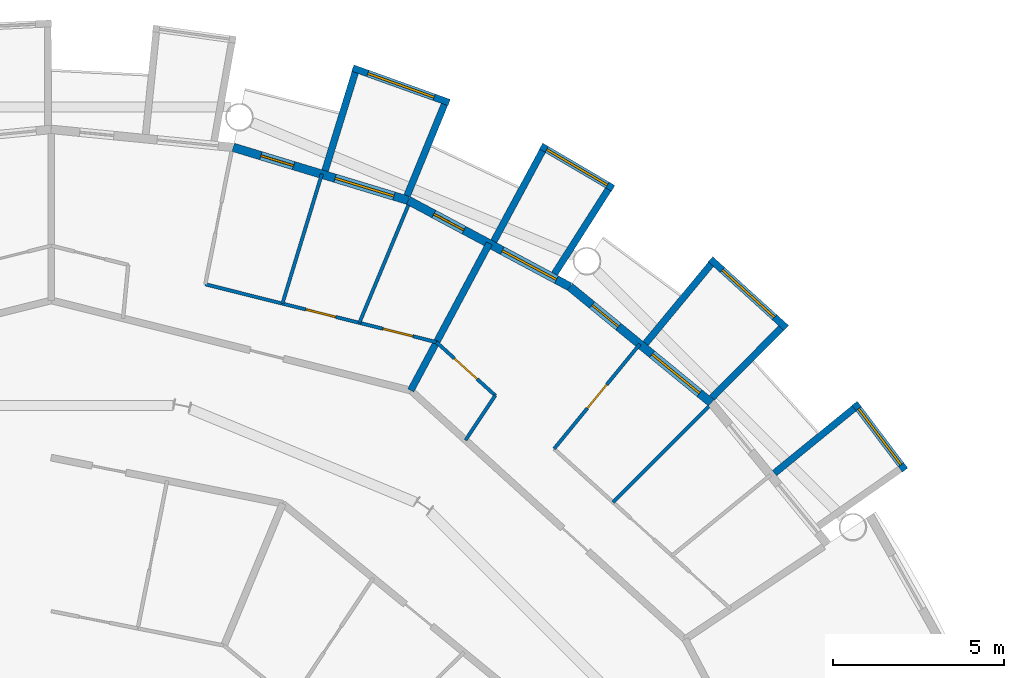
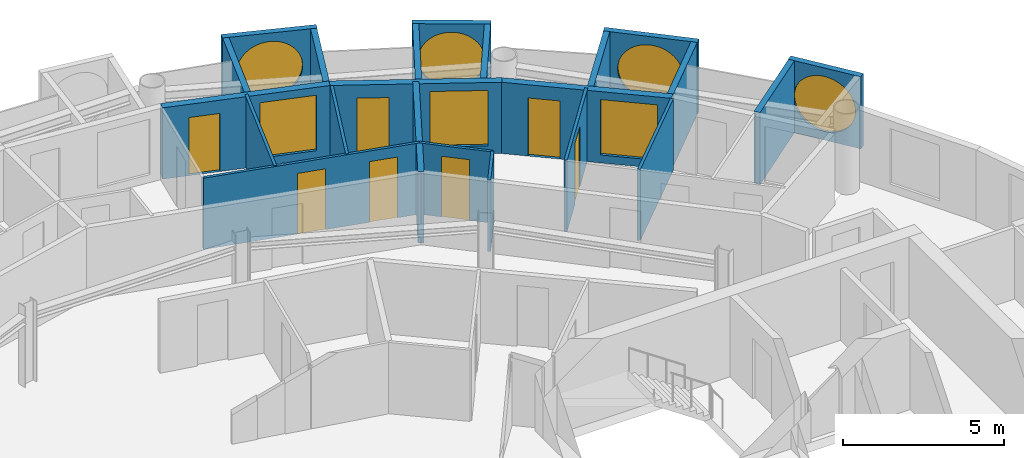
# One storey, part 23 of 27: 22 walls, 7 doors, 7 windows, 14 openings.
"""IFC4 building model written with IfcOpenShell, lengths in metres."""

from ifc_helpers import new_model, si_unit, direction, frame, frame_2d, origin, place, context, subcontext, project, spatial, rectangle, circle, extrude, material, layer, layer_set, type_object, element, fill, save


model = new_model("IFC4")

# Units and contexts
model_context = context("Model", 3, precision=1e-05, world=origin(), true_north=direction((0.0, 1.0)))
body_context = subcontext(model_context, "Body", "Model", "MODEL_VIEW")
ifc_project = project(units=[si_unit("LENGTHUNIT", "METRE"), si_unit("AREAUNIT", "SQUARE_METRE"), si_unit("VOLUMEUNIT", "CUBIC_METRE"), si_unit("PLANEANGLEUNIT", "RADIAN"), si_unit("MASSUNIT", "GRAM", prefix="KILO")], contexts=[model_context])

# Site, building, storey
site_placement = place(None, origin())
site = spatial("IfcSite", under=ifc_project, at=site_placement, CompositionType="ELEMENT")
building_placement = place(site_placement, origin())
building = spatial("IfcBuilding", under=site, at=building_placement, Name="Maasbend Ring Residences", CompositionType="ELEMENT")
storey_placement = place(building_placement, frame((0.0, 0.0, 164.64990234375)))
storey = spatial("IfcBuildingStorey", under=building, at=storey_placement, Name="L47", CompositionType="ELEMENT", Elevation=164.64990234375)

# Wall, opening, window
ifc_material_1 = material(Name="Pale anodised aluminium panel", Category="aluminium")
ifc_layer_1 = layer(ifc_material_1, 0.199951171875)
ifc_layer_set_1 = layer_set([ifc_layer_1], Name="EW-BOX")
wall_type_1 = type_object("IfcWallType", Name="EW-BOX", PredefinedType="SOLIDWALL", material=ifc_layer_set_1)
wall_1_placement = place(storey_placement, frame((24.971923828125, 17.3369140625, -0.02978515625), z_axis=(0.0, 0.0, 1.0), x_axis=(-0.602806268067, 0.797887588059, 0.0)))
wall_1 = element("IfcWall", 1, at=wall_1_placement, inside=storey, type_object=wall_type_1, Name="Box front N01", PredefinedType="SOLIDWALL", context=body_context, shape_type="SweptSolid", body=[
    extrude(rectangle(XDim=2.446533203125, YDim=0.199951171875, at=frame_2d((1.22314453125, 0.0))), origin(), (0.0, 0.0, 1.0), 2.72998046875),
])
opening_1_placement = place(wall_1_placement, frame((0.182861328125, 0.0, 0.330078125)))
opening_1 = element("IfcOpeningElement", 2, at=opening_1_placement, cuts=wall_1, Name="Opening W-RD", PredefinedType="OPENING", context=body_context, shape_type="SweptSolid", body=[
    extrude(circle(Radius=1.0400390625, at=frame_2d((1.0400390625, 1.0400390625))), frame((0.0, 0.10986328125, 0.0), z_axis=(0.0, -1.0, 0.0), x_axis=(1.0, 0.0, 0.0)), (0.0, 0.0, 1.0), 0.219970703125),
])
ifc_material_2 = material(Name="Aluminium and clear glass", Category="aluminium")
window_type_1 = type_object("IfcWindowType", Name="W-RD", PartitioningType="SINGLE_PANEL", PredefinedType="WINDOW", material=ifc_material_2)
window_1_placement = place(opening_1_placement, origin())
window_1 = element("IfcWindow", 3, at=window_1_placement, inside=storey, type_object=window_type_1, Name="Round window N01", OverallHeight=2.080078125, OverallWidth=2.080078125, PartitioningType="SINGLE_PANEL", PredefinedType="WINDOW", context=body_context, shape_type="SweptSolid", body=[
    extrude(circle(Radius=1.0400390625, at=frame_2d((1.0400390625, 1.0400390625))), frame((0.0, 0.030029296875, 0.0), z_axis=(0.0, -1.0, 0.0), x_axis=(1.0, 0.0, 0.0)), (0.0, 0.0, 1.0), 0.06005859375),
])
fill(opening_1, window_1)

# Wall
wall_2_placement = place(storey_placement, frame((21.155029296875, 17.24609375, -0.02978515625), z_axis=(0.0, 0.0, 1.0), x_axis=(0.775179004516, 0.631741648902, 0.0)))
element("IfcWall", 4, at=wall_2_placement, inside=storey, type_object=wall_type_1, Name="Box side wall N01 right", PredefinedType="SOLIDWALL", context=body_context, shape_type="SweptSolid", body=[
    extrude(rectangle(XDim=3.005859375, YDim=0.199951171875, at=frame_2d((1.5029296875, 0.0))), origin(), (0.0, 0.0, 1.0), 2.72998046875),
])

# Wall, opening, window
wall_3_placement = place(storey_placement, frame((21.5, 21.492919921875, -0.02978515625), z_axis=(0.0, 0.0, 1.0), x_axis=(-0.740998365753, 0.671506829416, 0.0)))
wall_3 = element("IfcWall", 5, at=wall_3_placement, inside=storey, type_object=wall_type_1, Name="Box front N03", PredefinedType="SOLIDWALL", context=body_context, shape_type="SweptSolid", body=[
    extrude(rectangle(XDim=2.9931640625, YDim=0.199951171875, at=frame_2d((1.49658203125, 0.0))), origin(), (0.0, 0.0, 1.0), 2.72998046875),
])
opening_2_placement = place(wall_3_placement, frame((0.45654296875, 0.0, 0.330078125)))
opening_2 = element("IfcOpeningElement", 6, at=opening_2_placement, cuts=wall_3, Name="Opening W-RD", PredefinedType="OPENING", context=body_context, shape_type="SweptSolid", body=[
    extrude(circle(Radius=1.0400390625, at=frame_2d((1.0400390625, 1.0400390625))), frame((0.0, 0.10986328125, 0.0), z_axis=(0.0, -1.0, 0.0), x_axis=(1.0, 0.0, 0.0)), (0.0, 0.0, 1.0), 0.219970703125),
])
window_2_placement = place(opening_2_placement, origin())
window_2 = element("IfcWindow", 7, at=window_2_placement, inside=storey, type_object=window_type_1, Name="Round window N03", OverallHeight=2.080078125, OverallWidth=2.080078125, PartitioningType="SINGLE_PANEL", PredefinedType="WINDOW", context=body_context, shape_type="SweptSolid", body=[
    extrude(circle(Radius=1.0400390625, at=frame_2d((1.0400390625, 1.0400390625))), frame((0.0, 0.030029296875, 0.0), z_axis=(0.0, -1.0, 0.0), x_axis=(1.0, 0.0, 0.0)), (0.0, 0.0, 1.0), 0.06005859375),
])
fill(opening_2, window_2)

# Walls
wall_4_placement = place(storey_placement, frame((19.322998046875, 19.449951171875, -0.02978515625), z_axis=(0.0, 0.0, 1.0), x_axis=(0.704476739375, 0.709727076896, 0.0)))
element("IfcWall", 8, at=wall_4_placement, inside=storey, type_object=wall_type_1, Name="Box side wall N03 left", PredefinedType="SOLIDWALL", context=body_context, shape_type="SweptSolid", body=[
    extrude(rectangle(XDim=2.883056640625, YDim=0.199951171875, at=frame_2d((1.44140625, 0.0))), origin(), (0.0, 0.0, 1.0), 2.72998046875),
])
wall_5_placement = place(storey_placement, frame((17.384033203125, 21.041015625, -0.02978515625), z_axis=(0.0, 0.0, 1.0), x_axis=(0.63709551667, 0.770784861449, 0.0)))
element("IfcWall", 9, at=wall_5_placement, inside=storey, type_object=wall_type_1, Name="Box side wall N03 right", PredefinedType="SOLIDWALL", context=body_context, shape_type="SweptSolid", body=[
    extrude(rectangle(XDim=3.005859375, YDim=0.199951171875, at=frame_2d((1.5029296875, 0.0))), origin(), (0.0, 0.0, 1.0), 2.72998046875),
])

# Wall, opening, window
wall_6_placement = place(storey_placement, frame((16.43603515625, 25.573974609375, -0.02978515625), z_axis=(0.0, 0.0, 1.0), x_axis=(-0.862403467503, 0.506221551535, 0.0)))
wall_6 = element("IfcWall", 10, at=wall_6_placement, inside=storey, type_object=wall_type_1, Name="Box front N05", PredefinedType="SOLIDWALL", context=body_context, shape_type="SweptSolid", body=[
    extrude(rectangle(XDim=2.445556640625, YDim=0.199951171875, at=frame_2d((1.22265625, 0.0))), origin(), (0.0, 0.0, 1.0), 2.72998046875),
])
opening_3_placement = place(wall_6_placement, frame((0.182861328125, 0.0, 0.330078125)))
opening_3 = element("IfcOpeningElement", 11, at=opening_3_placement, cuts=wall_6, Name="Opening W-RD", PredefinedType="OPENING", context=body_context, shape_type="SweptSolid", body=[
    extrude(circle(Radius=1.0400390625, at=frame_2d((1.0400390625, 1.0400390625))), frame((0.0, 0.10986328125, 0.0), z_axis=(0.0, -1.0, 0.0), x_axis=(1.0, 0.0, 0.0)), (0.0, 0.0, 1.0), 0.219970703125),
])
window_3_placement = place(opening_3_placement, origin())
window_3 = element("IfcWindow", 12, at=window_3_placement, inside=storey, type_object=window_type_1, Name="Round window N05", OverallHeight=2.080078125, OverallWidth=2.080078125, PartitioningType="SINGLE_PANEL", PredefinedType="WINDOW", context=body_context, shape_type="SweptSolid", body=[
    extrude(circle(Radius=1.0400390625, at=frame_2d((1.0400390625, 1.0400390625))), frame((0.0, 0.030029296875, 0.0), z_axis=(0.0, -1.0, 0.0), x_axis=(1.0, 0.0, 0.0)), (0.0, 0.0, 1.0), 0.06005859375),
])
fill(opening_3, window_3)

# Walls
wall_7_placement = place(storey_placement, frame((14.721923828125, 23.0791015625, -0.02978515625), z_axis=(0.0, 0.0, 1.0), x_axis=(0.537572179146, 0.843217737129, 0.0)))
element("IfcWall", 13, at=wall_7_placement, inside=storey, type_object=wall_type_1, Name="Box side wall N05 left", PredefinedType="SOLIDWALL", context=body_context, shape_type="SweptSolid", body=[
    extrude(rectangle(XDim=2.92431640625, YDim=0.199951171875, at=frame_2d((1.462158203125, 0.0))), origin(), (0.0, 0.0, 1.0), 2.72998046875),
])
wall_8_placement = place(storey_placement, frame((12.945068359375, 24.029052734375, -0.02978515625), z_axis=(0.0, 0.0, 1.0), x_axis=(0.474424310775, 0.88029629861, 0.0)))
element("IfcWall", 14, at=wall_8_placement, inside=storey, type_object=wall_type_1, Name="Box side wall N05 right", PredefinedType="SOLIDWALL", context=body_context, shape_type="SweptSolid", body=[
    extrude(rectangle(XDim=3.005859375, YDim=0.199951171875, at=frame_2d((1.5029296875, 0.0))), origin(), (0.0, 0.0, 1.0), 2.72998046875),
])

# Wall, opening, window
wall_9_placement = place(storey_placement, frame((11.637939453125, 28.083984375, -0.02978515625), z_axis=(0.0, 0.0, 1.0), x_axis=(-0.941461077774, 0.337121697664, 0.0)))
wall_9 = element("IfcWall", 15, at=wall_9_placement, inside=storey, type_object=wall_type_1, Name="Box front N07", PredefinedType="SOLIDWALL", context=body_context, shape_type="SweptSolid", body=[
    extrude(rectangle(XDim=2.9931640625, YDim=0.199951171875, at=frame_2d((1.49658203125, 0.0))), origin(), (0.0, 0.0, 1.0), 2.72998046875),
])
opening_4_placement = place(wall_9_placement, frame((0.45654296875, 0.0, 0.330078125)))
opening_4 = element("IfcOpeningElement", 16, at=opening_4_placement, cuts=wall_9, Name="Opening W-RD", PredefinedType="OPENING", context=body_context, shape_type="SweptSolid", body=[
    extrude(circle(Radius=1.0400390625, at=frame_2d((1.0400390625, 1.0400390625))), frame((0.0, 0.10986328125, 0.0), z_axis=(0.0, -1.0, 0.0), x_axis=(1.0, 0.0, 0.0)), (0.0, 0.0, 1.0), 0.219970703125),
])
window_4_placement = place(opening_4_placement, origin())
window_4 = element("IfcWindow", 17, at=window_4_placement, inside=storey, type_object=window_type_1, Name="Round window N07", OverallHeight=2.080078125, OverallWidth=2.080078125, PartitioningType="SINGLE_PANEL", PredefinedType="WINDOW", context=body_context, shape_type="SweptSolid", body=[
    extrude(circle(Radius=1.0400390625, at=frame_2d((1.0400390625, 1.0400390625))), frame((0.0, 0.030029296875, 0.0), z_axis=(0.0, -1.0, 0.0), x_axis=(1.0, 0.0, 0.0)), (0.0, 0.0, 1.0), 0.06005859375),
])
fill(opening_4, window_4)

# Walls
wall_10_placement = place(storey_placement, frame((10.408935546875, 25.364013671875, -0.02978515625), z_axis=(0.0, 0.0, 1.0), x_axis=(0.379509886562, 0.925187681501, 0.0)))
element("IfcWall", 18, at=wall_10_placement, inside=storey, type_object=wall_type_1, Name="Box side wall N07 left", PredefinedType="SOLIDWALL", context=body_context, shape_type="SweptSolid", body=[
    extrude(rectangle(XDim=2.882568359375, YDim=0.199951171875, at=frame_2d((1.44140625, 0.0))), origin(), (0.0, 0.0, 1.0), 2.72998046875),
])
wall_11_placement = place(storey_placement, frame((8.009033203125, 26.092041015625, -0.02978515625), z_axis=(0.0, 0.0, 1.0), x_axis=(0.293406695073, 0.955987715029, 0.0)))
element("IfcWall", 19, at=wall_11_placement, inside=storey, type_object=wall_type_1, Name="Box side wall N07 right", PredefinedType="SOLIDWALL", context=body_context, shape_type="SweptSolid", body=[
    extrude(rectangle(XDim=3.00634765625, YDim=0.199951171875, at=frame_2d((1.503173828125, 0.0))), origin(), (0.0, 0.0, 1.0), 2.72998046875),
])

# Wall, openings, door, window
ifc_material_3 = material(Name="Aluminium clad insulated panel", Category="aluminium")
ifc_layer_2 = layer(ifc_material_3, 0.25)
ifc_layer_set_2 = layer_set([ifc_layer_2], Name="EW-GL")
wall_type_2 = type_object("IfcWallType", Name="EW-GL", PredefinedType="SOLIDWALL", material=ifc_layer_set_2)
wall_12_placement = place(storey_placement, frame((19.303955078125, 19.303955078125, 0.0), z_axis=(0.0, 0.0, 1.0), x_axis=(-0.773019449054, 0.634382322723, 0.0)))
wall_12 = element("IfcWall", 20, at=wall_12_placement, inside=storey, type_object=wall_type_2, Name="External wall N02", PredefinedType="SOLIDWALL", context=body_context, shape_type="SweptSolid", body=[
    extrude(rectangle(XDim=5.351806640625, YDim=0.25, at=frame_2d((2.67578125, 0.0))), origin(), (0.0, 0.0, 1.0), 2.7001953125),
])
opening_5_placement = place(wall_12_placement, frame((0.441162109375, 0.0, 0.300048828125)))
opening_5 = element("IfcOpeningElement", 21, at=opening_5_placement, cuts=wall_12, Name="Opening W-BX", PredefinedType="OPENING", context=body_context, shape_type="SweptSolid", body=[
    extrude(rectangle(XDim=1.800048828125, YDim=2.10009765625, at=frame_2d((0.89990234375, 1.050048828125))), frame((0.0, 0.135009765625, 0.0), z_axis=(0.0, -1.0, 0.0), x_axis=(1.0, 0.0, 0.0)), (0.0, 0.0, 1.0), 0.27001953125),
])
opening_6_placement = place(wall_12_placement, frame((3.510498046875, 0.0, 0.0)))
opening_6 = element("IfcOpeningElement", 22, at=opening_6_placement, cuts=wall_12, Name="Opening D-LG", PredefinedType="OPENING", context=body_context, shape_type="SweptSolid", body=[
    extrude(rectangle(XDim=1.0, YDim=2.199951171875, at=frame_2d((0.5, 1.10009765625))), frame((0.0, 0.135009765625, 0.0), z_axis=(0.0, -1.0, 0.0), x_axis=(1.0, 0.0, 0.0)), (0.0, 0.0, 1.0), 0.27001953125),
])
ifc_material_4 = material(Name="Aluminium and clear glass", Category="aluminium")
door_type_1 = type_object("IfcDoorType", Name="D-LG", OperationType="SINGLE_SWING_LEFT", PredefinedType="DOOR", material=ifc_material_4)
door_1_placement = place(opening_6_placement, origin())
door_1 = element("IfcDoor", 23, at=door_1_placement, inside=storey, type_object=door_type_1, Name="Loggia door N04", OperationType="SINGLE_SWING_LEFT", OverallHeight=2.199951171875, OverallWidth=1.0, PredefinedType="DOOR", context=body_context, shape_type="SweptSolid", body=[
    extrude(rectangle(XDim=1.0, YDim=2.199951171875, at=frame_2d((0.5, 1.10009765625))), frame((0.0, 0.02490234375, 0.0), z_axis=(0.0, -1.0, 0.0), x_axis=(1.0, 0.0, 0.0)), (0.0, 0.0, 1.0), 0.050048828125),
])
fill(opening_6, door_1)
ifc_material_5 = material(Name="Aluminium and clear glass", Category="aluminium")
window_type_2 = type_object("IfcWindowType", Name="W-BX", PartitioningType="DOUBLE_PANEL_VERTICAL", PredefinedType="WINDOW", material=ifc_material_5)
window_5_placement = place(opening_5_placement, origin())
window_5 = element("IfcWindow", 24, at=window_5_placement, inside=storey, type_object=window_type_2, Name="Window N03 room to box", OverallHeight=2.10009765625, OverallWidth=1.800048828125, PartitioningType="SINGLE_PANEL", PredefinedType="WINDOW", context=body_context, shape_type="SweptSolid", body=[
    extrude(rectangle(XDim=1.800048828125, YDim=2.10009765625, at=frame_2d((0.89990234375, 1.050048828125))), frame((0.0, 0.030029296875, 0.0), z_axis=(0.0, -1.0, 0.0), x_axis=(1.0, 0.0, 0.0)), (0.0, 0.0, 1.0), 0.06005859375),
])
fill(opening_5, window_5)

wall_13_placement = place(storey_placement, frame((15.1669921875, 22.698974609375, 0.0), z_axis=(0.0, 0.0, 1.0), x_axis=(-0.881915646801, 0.471407246368, 0.0)))
wall_13 = element("IfcWall", 25, at=wall_13_placement, inside=storey, type_object=wall_type_2, Name="External wall N03", PredefinedType="SOLIDWALL", context=body_context, shape_type="SweptSolid", body=[
    extrude(rectangle(XDim=5.35205078125, YDim=0.25, at=frame_2d((2.676025390625, 0.0))), origin(), (0.0, 0.0, 1.0), 2.7001953125),
])
opening_7_placement = place(wall_13_placement, frame((0.441162109375, 0.0, 0.300048828125)))
opening_7 = element("IfcOpeningElement", 26, at=opening_7_placement, cuts=wall_13, Name="Opening W-BX", PredefinedType="OPENING", context=body_context, shape_type="SweptSolid", body=[
    extrude(rectangle(XDim=1.800048828125, YDim=2.10009765625, at=frame_2d((0.89990234375, 1.050048828125))), frame((0.0, 0.135009765625, 0.0), z_axis=(0.0, -1.0, 0.0), x_axis=(1.0, 0.0, 0.0)), (0.0, 0.0, 1.0), 0.27001953125),
])
opening_8_placement = place(wall_13_placement, frame((3.510498046875, 0.0, 0.0)))
opening_8 = element("IfcOpeningElement", 27, at=opening_8_placement, cuts=wall_13, Name="Opening D-LG", PredefinedType="OPENING", context=body_context, shape_type="SweptSolid", body=[
    extrude(rectangle(XDim=1.0, YDim=2.199951171875, at=frame_2d((0.5, 1.10009765625))), frame((0.0, 0.135009765625, 0.0), z_axis=(0.0, -1.0, 0.0), x_axis=(1.0, 0.0, 0.0)), (0.0, 0.0, 1.0), 0.27001953125),
])
door_2_placement = place(opening_8_placement, origin())
door_2 = element("IfcDoor", 28, at=door_2_placement, inside=storey, type_object=door_type_1, Name="Loggia door N06", OperationType="SINGLE_SWING_LEFT", OverallHeight=2.199951171875, OverallWidth=1.0, PredefinedType="DOOR", context=body_context, shape_type="SweptSolid", body=[
    extrude(rectangle(XDim=1.0, YDim=2.199951171875, at=frame_2d((0.5, 1.10009765625))), frame((0.0, 0.02490234375, 0.0), z_axis=(0.0, -1.0, 0.0), x_axis=(1.0, 0.0, 0.0)), (0.0, 0.0, 1.0), 0.050048828125),
])
fill(opening_8, door_2)
window_6_placement = place(opening_7_placement, origin())
window_6 = element("IfcWindow", 29, at=window_6_placement, inside=storey, type_object=window_type_2, Name="Window N05 room to box", OverallHeight=2.10009765625, OverallWidth=1.800048828125, PartitioningType="SINGLE_PANEL", PredefinedType="WINDOW", context=body_context, shape_type="SweptSolid", body=[
    extrude(rectangle(XDim=1.800048828125, YDim=2.10009765625, at=frame_2d((0.89990234375, 1.050048828125))), frame((0.0, 0.030029296875, 0.0), z_axis=(0.0, -1.0, 0.0), x_axis=(1.0, 0.0, 0.0)), (0.0, 0.0, 1.0), 0.06005859375),
])
fill(opening_7, window_6)

wall_14_placement = place(storey_placement, frame((10.447021484375, 25.221923828125, 0.0), z_axis=(0.0, 0.0, 1.0), x_axis=(-0.956965678721, 0.290201119486, 0.0)))
wall_14 = element("IfcWall", 30, at=wall_14_placement, inside=storey, type_object=wall_type_2, Name="External wall N04", PredefinedType="SOLIDWALL", context=body_context, shape_type="SweptSolid", body=[
    extrude(rectangle(XDim=5.351318359375, YDim=0.25, at=frame_2d((2.67578125, 0.0))), origin(), (0.0, 0.0, 1.0), 2.7001953125),
])
opening_9_placement = place(wall_14_placement, frame((0.441162109375, 0.0, 0.300048828125)))
opening_9 = element("IfcOpeningElement", 31, at=opening_9_placement, cuts=wall_14, Name="Opening W-BX", PredefinedType="OPENING", context=body_context, shape_type="SweptSolid", body=[
    extrude(rectangle(XDim=1.800048828125, YDim=2.10009765625, at=frame_2d((0.89990234375, 1.050048828125))), frame((0.0, 0.135009765625, 0.0), z_axis=(0.0, -1.0, 0.0), x_axis=(1.0, 0.0, 0.0)), (0.0, 0.0, 1.0), 0.27001953125),
])
opening_10_placement = place(wall_14_placement, frame((3.510498046875, 0.0, 0.0)))
opening_10 = element("IfcOpeningElement", 32, at=opening_10_placement, cuts=wall_14, Name="Opening D-LG", PredefinedType="OPENING", context=body_context, shape_type="SweptSolid", body=[
    extrude(rectangle(XDim=1.0, YDim=2.199951171875, at=frame_2d((0.5, 1.10009765625))), frame((0.0, 0.135009765625, 0.0), z_axis=(0.0, -1.0, 0.0), x_axis=(1.0, 0.0, 0.0)), (0.0, 0.0, 1.0), 0.27001953125),
])
door_3_placement = place(opening_10_placement, origin())
door_3 = element("IfcDoor", 33, at=door_3_placement, inside=storey, type_object=door_type_1, Name="Loggia door N08", OperationType="SINGLE_SWING_LEFT", OverallHeight=2.199951171875, OverallWidth=1.0, PredefinedType="DOOR", context=body_context, shape_type="SweptSolid", body=[
    extrude(rectangle(XDim=1.0, YDim=2.199951171875, at=frame_2d((0.5, 1.10009765625))), frame((0.0, 0.02490234375, 0.0), z_axis=(0.0, -1.0, 0.0), x_axis=(1.0, 0.0, 0.0)), (0.0, 0.0, 1.0), 0.050048828125),
])
fill(opening_10, door_3)
window_7_placement = place(opening_9_placement, origin())
window_7 = element("IfcWindow", 34, at=window_7_placement, inside=storey, type_object=window_type_2, Name="Window N07 room to box", OverallHeight=2.10009765625, OverallWidth=1.800048828125, PartitioningType="SINGLE_PANEL", PredefinedType="WINDOW", context=body_context, shape_type="SweptSolid", body=[
    extrude(rectangle(XDim=1.800048828125, YDim=2.10009765625, at=frame_2d((0.89990234375, 1.050048828125))), frame((0.0, 0.030029296875, 0.0), z_axis=(0.0, -1.0, 0.0), x_axis=(1.0, 0.0, 0.0)), (0.0, 0.0, 1.0), 0.06005859375),
])
fill(opening_9, window_7)

# Walls
ifc_material_6 = material(Name="Gypsum board on steel studs", Category="steel")
ifc_layer_3 = layer(ifc_material_6, 0.10009765625)
ifc_layer_set_3 = layer_set([ifc_layer_3], Name="PARTITION 100 GYPSUM")
wall_type_3 = type_object("IfcWallType", Name="PARTITION 100 GYPSUM", PredefinedType="PARTITIONING", material=ifc_layer_set_3)
wall_15_placement = place(storey_placement, frame((6.762939453125, 22.2060546875, 0.0), z_axis=(0.0, 0.0, 1.0), x_axis=(0.291291575636, 0.956634317785, 0.0)))
element("IfcWall", 35, at=wall_15_placement, inside=storey, type_object=wall_type_3, Name="U-L47-w073", PredefinedType="PARTITIONING", context=body_context, shape_type="SweptSolid", body=[
    extrude(rectangle(XDim=3.9619140625, YDim=0.10009765625, at=frame_2d((1.98095703125, 0.0))), origin(), (0.0, 0.0, 1.0), 2.7001953125),
])
wall_16_placement = place(storey_placement, frame((9.012939453125, 21.64208984375, 0.0), z_axis=(0.0, 0.0, 1.0), x_axis=(0.384420204655, 0.923158223845, 0.0)))
element("IfcWall", 36, at=wall_16_placement, inside=storey, type_object=wall_type_3, Name="U-L47-w076", PredefinedType="PARTITIONING", context=body_context, shape_type="SweptSolid", body=[
    extrude(rectangle(XDim=3.73046875, YDim=0.10009765625, at=frame_2d((1.865234375, 0.0))), origin(), (0.0, 0.0, 1.0), 2.7001953125),
])
wall_17_placement = place(storey_placement, frame((12.117919921875, 18.2109375, 0.0), z_axis=(0.0, 0.0, 1.0), x_axis=(0.554125989098, 0.832432813028, 0.0)))
element("IfcWall", 37, at=wall_17_placement, inside=storey, type_object=wall_type_3, Name="U-L47-w081", PredefinedType="PARTITIONING", context=body_context, shape_type="SweptSolid", body=[
    extrude(rectangle(XDim=1.5703125, YDim=0.10009765625, at=frame_2d((0.78515625, 0.0))), origin(), (0.0, 0.0, 1.0), 2.7001953125),
])

# Wall, opening, door
wall_18_placement = place(storey_placement, frame((14.708984375, 17.9580078125, 0.0), z_axis=(0.0, 0.0, 1.0), x_axis=(0.633590098448, 0.773668913133, 0.0)))
wall_18 = element("IfcWall", 38, at=wall_18_placement, inside=storey, type_object=wall_type_3, Name="U-L47-w084", PredefinedType="PARTITIONING", context=body_context, shape_type="SweptSolid", body=[
    extrude(rectangle(XDim=3.961669921875, YDim=0.10009765625, at=frame_2d((1.98095703125, 0.0))), origin(), (0.0, 0.0, 1.0), 2.7001953125),
])
opening_11_placement = place(wall_18_placement, frame((1.531005859375, 0.0, 0.0)))
opening_11 = element("IfcOpeningElement", 39, at=opening_11_placement, cuts=wall_18, Name="Opening D-4703", PredefinedType="OPENING", context=body_context, shape_type="SweptSolid", body=[
    extrude(rectangle(XDim=0.89990234375, YDim=2.300048828125, at=frame_2d((0.449951171875, 1.14990234375))), frame((0.0, 0.06005859375, 0.0), z_axis=(0.0, -1.0, 0.0), x_axis=(1.0, 0.0, 0.0)), (0.0, 0.0, 1.0), 0.1201171875),
])
ifc_material_7 = material(Name="Timber, painted", Category="wood")
door_type_2 = type_object("IfcDoorType", Name="INTERNAL DOOR 900 X 2300", OperationType="NOTDEFINED", PredefinedType="DOOR", material=ifc_material_7)
door_4_placement = place(opening_11_placement, origin())
door_4 = element("IfcDoor", 40, at=door_4_placement, inside=storey, type_object=door_type_2, Name="D-4703", OperationType="SINGLE_SWING_RIGHT", OverallHeight=2.300048828125, OverallWidth=0.89990234375, PredefinedType="DOOR", context=body_context, shape_type="SweptSolid", body=[
    extrude(rectangle(XDim=0.89990234375, YDim=2.300048828125, at=frame_2d((0.449951171875, 1.14990234375))), frame((0.0, 0.02490234375, 0.0), z_axis=(0.0, -1.0, 0.0), x_axis=(1.0, 0.0, 0.0)), (0.0, 0.0, 1.0), 0.050048828125),
])
fill(opening_11, door_4)

# Wall
wall_19_placement = place(storey_placement, frame((16.429931640625, 16.39794921875, 0.0), z_axis=(0.0, 0.0, 1.0), x_axis=(0.707722727509, 0.706490297858, 0.0)))
element("IfcWall", 41, at=wall_19_placement, inside=storey, type_object=wall_type_3, Name="U-L47-w086", PredefinedType="PARTITIONING", context=body_context, shape_type="SweptSolid", body=[
    extrude(rectangle(XDim=3.9619140625, YDim=0.10009765625, at=frame_2d((1.98095703125, 0.0))), origin(), (0.0, 0.0, 1.0), 2.7001953125),
])

# Wall, openings, doors
wall_20_placement = place(storey_placement, frame((4.507080078125, 22.77099609375, 0.0), z_axis=(0.0, 0.0, 1.0), x_axis=(0.970020829306, -0.243021790611, 0.0)))
wall_20 = element("IfcWall", 42, at=wall_20_placement, inside=storey, type_object=wall_type_3, Name="U-L47-w117", PredefinedType="PARTITIONING", context=body_context, shape_type="SweptSolid", body=[
    extrude(rectangle(XDim=6.970947265625, YDim=0.10009765625, at=frame_2d((3.4853515625, 0.0))), origin(), (0.0, 0.0, 1.0), 2.7001953125),
])
opening_12_placement = place(wall_20_placement, frame((3.031005859375, 0.0, 0.0)))
opening_12 = element("IfcOpeningElement", 43, at=opening_12_placement, cuts=wall_20, Name="Opening D-4709", PredefinedType="OPENING", context=body_context, shape_type="SweptSolid", body=[
    extrude(rectangle(XDim=0.89990234375, YDim=2.300048828125, at=frame_2d((0.449951171875, 1.14990234375))), frame((0.0, 0.06005859375, 0.0), z_axis=(0.0, -1.0, 0.0), x_axis=(1.0, 0.0, 0.0)), (0.0, 0.0, 1.0), 0.1201171875),
])
opening_13_placement = place(wall_20_placement, frame((5.35791015625, 0.0, 0.0)))
opening_13 = element("IfcOpeningElement", 44, at=opening_13_placement, cuts=wall_20, Name="Opening D-4710", PredefinedType="OPENING", context=body_context, shape_type="SweptSolid", body=[
    extrude(rectangle(XDim=0.89990234375, YDim=2.300048828125, at=frame_2d((0.449951171875, 1.14990234375))), frame((0.0, 0.06005859375, 0.0), z_axis=(0.0, -1.0, 0.0), x_axis=(1.0, 0.0, 0.0)), (0.0, 0.0, 1.0), 0.1201171875),
])
door_5_placement = place(opening_12_placement, origin())
door_5 = element("IfcDoor", 45, at=door_5_placement, inside=storey, type_object=door_type_2, Name="D-4709", OperationType="SINGLE_SWING_LEFT", OverallHeight=2.300048828125, OverallWidth=0.89990234375, PredefinedType="DOOR", context=body_context, shape_type="SweptSolid", body=[
    extrude(rectangle(XDim=0.89990234375, YDim=2.300048828125, at=frame_2d((0.449951171875, 1.14990234375))), frame((0.0, 0.02490234375, 0.0), z_axis=(0.0, -1.0, 0.0), x_axis=(1.0, 0.0, 0.0)), (0.0, 0.0, 1.0), 0.050048828125),
])
fill(opening_12, door_5)
door_6_placement = place(opening_13_placement, origin())
door_6 = element("IfcDoor", 46, at=door_6_placement, inside=storey, type_object=door_type_2, Name="D-4710", OperationType="SINGLE_SWING_RIGHT", OverallHeight=2.300048828125, OverallWidth=0.89990234375, PredefinedType="DOOR", context=body_context, shape_type="SweptSolid", body=[
    extrude(rectangle(XDim=0.89990234375, YDim=2.300048828125, at=frame_2d((0.449951171875, 1.14990234375))), frame((0.0, 0.02490234375, 0.0), z_axis=(0.0, -1.0, 0.0), x_axis=(1.0, 0.0, 0.0)), (0.0, 0.0, 1.0), 0.050048828125),
])
fill(opening_13, door_6)

# Wall, opening, door
wall_21_placement = place(storey_placement, frame((11.27099609375, 21.073974609375, 0.0), z_axis=(0.0, 0.0, 1.0), x_axis=(0.74087097024, -0.671647381783, 0.0)))
wall_21 = element("IfcWall", 47, at=wall_21_placement, inside=storey, type_object=wall_type_3, Name="U-L47-w118", PredefinedType="PARTITIONING", context=body_context, shape_type="SweptSolid", body=[
    extrude(rectangle(XDim=2.32421875, YDim=0.10009765625, at=frame_2d((1.162109375, 0.0))), origin(), (0.0, 0.0, 1.0), 2.7001953125),
])
opening_14_placement = place(wall_21_placement, frame((0.705078125, 0.0, 0.0)))
opening_14 = element("IfcOpeningElement", 48, at=opening_14_placement, cuts=wall_21, Name="Opening D-4702", PredefinedType="OPENING", context=body_context, shape_type="SweptSolid", body=[
    extrude(rectangle(XDim=0.89990234375, YDim=2.300048828125, at=frame_2d((0.449951171875, 1.14990234375))), frame((0.0, 0.06005859375, 0.0), z_axis=(0.0, -1.0, 0.0), x_axis=(1.0, 0.0, 0.0)), (0.0, 0.0, 1.0), 0.1201171875),
])
door_7_placement = place(opening_14_placement, origin())
door_7 = element("IfcDoor", 49, at=door_7_placement, inside=storey, type_object=door_type_2, Name="D-4702", OperationType="SINGLE_SWING_LEFT", OverallHeight=2.300048828125, OverallWidth=0.89990234375, PredefinedType="DOOR", context=body_context, shape_type="SweptSolid", body=[
    extrude(rectangle(XDim=0.89990234375, YDim=2.300048828125, at=frame_2d((0.449951171875, 1.14990234375))), frame((0.0, 0.02490234375, 0.0), z_axis=(0.0, -1.0, 0.0), x_axis=(1.0, 0.0, 0.0)), (0.0, 0.0, 1.0), 0.050048828125),
])
fill(opening_14, door_7)

# Wall
ifc_material_8 = material(Name="Concrete C30/37", Category="concrete")
ifc_layer_4 = layer(ifc_material_8, 0.199951171875)
ifc_layer_set_4 = layer_set([ifc_layer_4], Name="Concrete C30/37")
wall_type_4 = type_object("IfcWallType", Name="PARTY WALL 200 CONCRETE", PredefinedType="PARTITIONING", material=ifc_layer_set_4)
wall_22_placement = place(storey_placement, frame((10.51611328125, 19.6650390625, 0.0), z_axis=(0.0, 0.0, 1.0), x_axis=(0.471388689095, 0.881925565903, 0.0)))
element("IfcWall", 50, at=wall_22_placement, inside=storey, type_object=wall_type_4, Name="U-L47-w080", PredefinedType="PARTITIONING", context=body_context, shape_type="SweptSolid", body=[
    extrude(rectangle(XDim=4.874755859375, YDim=0.199951171875, at=frame_2d((2.4375, 0.0))), origin(), (0.0, 0.0, 1.0), 2.7001953125),
])

save(model, "model.ifc")
